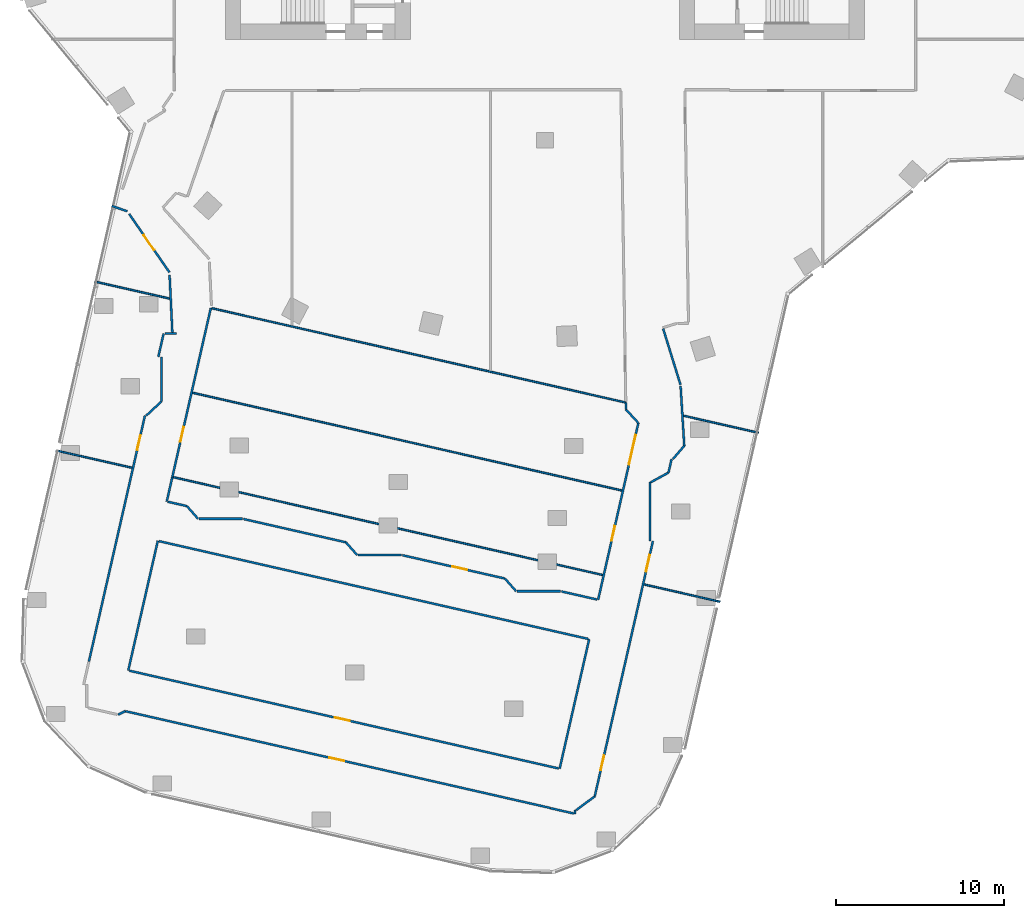
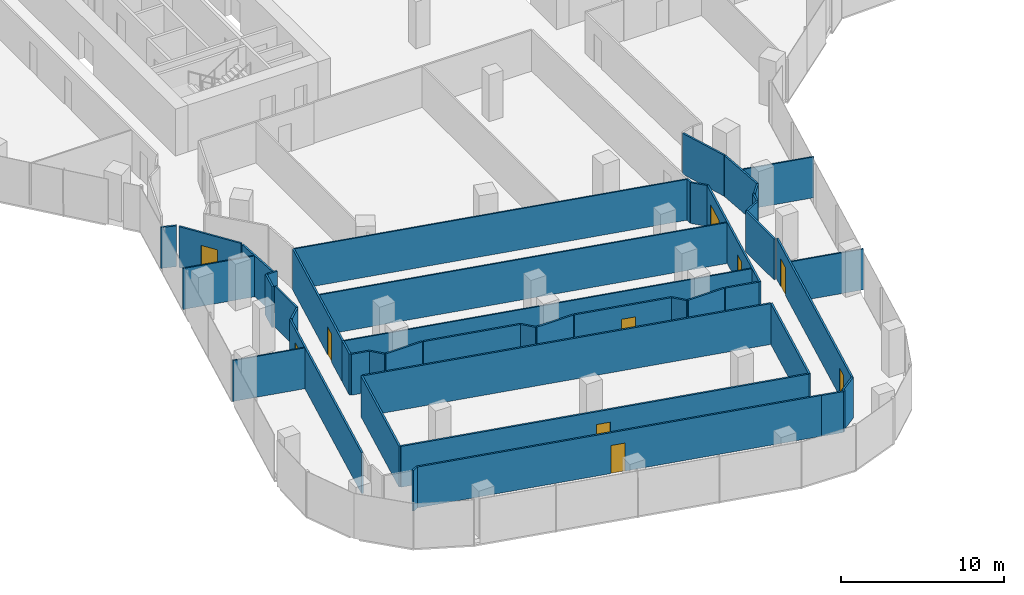
# One storey, part 18 of 24: 46 walls, 10 doors, 10 openings.
"""IFC4 building model written with IfcOpenShell, lengths in metres."""

from ifc_helpers import new_model, si_unit, direction, frame, frame_2d, origin, place, context, subcontext, project, spatial, rectangle, extrude, material, layer, layer_set, type_object, element, fill, save


model = new_model("IFC4")

# Units and contexts
model_context = context("Model", 3, precision=1e-05, world=origin(), true_north=direction((0.0, 1.0)))
body_context = subcontext(model_context, "Body", "Model", "MODEL_VIEW")
ifc_project = project(units=[si_unit("LENGTHUNIT", "METRE"), si_unit("AREAUNIT", "SQUARE_METRE"), si_unit("VOLUMEUNIT", "CUBIC_METRE"), si_unit("PLANEANGLEUNIT", "RADIAN"), si_unit("MASSUNIT", "GRAM", prefix="KILO")], contexts=[model_context])

# Site, building, storey
site_placement = place(None, origin())
site = spatial("IfcSite", under=ifc_project, at=site_placement, CompositionType="ELEMENT")
building_placement = place(site_placement, origin())
building = spatial("IfcBuilding", under=site, at=building_placement, Name="Orlundy Tower", CompositionType="ELEMENT")
storey_placement = place(building_placement, frame((0.0, 0.0, 170.60009765625)))
storey = spatial("IfcBuildingStorey", under=building, at=storey_placement, Name="L44", CompositionType="ELEMENT", Elevation=170.60009765625)

# Walls
ifc_material_1 = material(Name="Gypsum board partition")
ifc_layer_1 = layer(ifc_material_1, 0.10009765625)
ifc_layer_set_1 = layer_set([ifc_layer_1], Name="Floor partition 100")
wall_type_1 = type_object("IfcWallType", Name="Floor partition 100", PredefinedType="PARTITIONING", material=ifc_layer_set_1)
wall_1_placement = place(storey_placement, frame((-29.072998046875, -36.452880859375, 0.0), z_axis=(0.0, 0.0, 1.0), x_axis=(0.975041099452, -0.222024445455, 0.0)))
element("IfcWall", 1, at=wall_1_placement, inside=storey, type_object=wall_type_1, Name="wall-int-L44-023", PredefinedType="PARTITIONING", context=body_context, shape_type="SweptSolid", body=[
    extrude(rectangle(XDim=4.63037109375, YDim=0.10009765625, at=frame_2d((2.315185546875, 0.0))), origin(), (0.0, 0.0, 1.0), 3.059814453125),
])
wall_2_placement = place(storey_placement, frame((-22.094970703125, -38.04296875, 0.0), z_axis=(0.0, 0.0, 1.0), x_axis=(0.975023843859, -0.222100211404, 0.0)))
element("IfcWall", 2, at=wall_2_placement, inside=storey, type_object=wall_type_1, Name="wall-int-L44-024", PredefinedType="PARTITIONING", context=body_context, shape_type="SweptSolid", body=[
    extrude(rectangle(XDim=26.18603515625, YDim=0.10009765625, at=frame_2d((13.093017578125, 0.0))), origin(), (0.0, 0.0, 1.0), 3.059814453125),
])
wall_3_placement = place(storey_placement, frame((5.89990234375, -44.419921875, 0.0), z_axis=(0.0, 0.0, 1.0), x_axis=(0.975008438008, -0.222167832534, 0.0)))
element("IfcWall", 3, at=wall_3_placement, inside=storey, type_object=wall_type_1, Name="wall-int-L44-025", PredefinedType="PARTITIONING", context=body_context, shape_type="SweptSolid", body=[
    extrude(rectangle(XDim=4.6318359375, YDim=0.10009765625, at=frame_2d((2.31591796875, 0.0))), origin(), (0.0, 0.0, 1.0), 3.059814453125),
])
wall_4_placement = place(storey_placement, frame((-20.950927734375, -33.01904296875, 0.0), z_axis=(0.0, 0.0, 1.0), x_axis=(0.975025683381, -0.222092135715, 0.0)))
element("IfcWall", 4, at=wall_4_placement, inside=storey, type_object=wall_type_1, Name="wall-int-L44-026", PredefinedType="PARTITIONING", context=body_context, shape_type="SweptSolid", body=[
    extrude(rectangle(XDim=26.18701171875, YDim=0.10009765625, at=frame_2d((13.093505859375, 0.0))), origin(), (0.0, 0.0, 1.0), 3.059814453125),
])
wall_5_placement = place(storey_placement, frame((-26.783935546875, -26.404052734375, 0.0), z_axis=(0.0, 0.0, 1.0), x_axis=(0.975064044209, -0.221923657346, 0.0)))
element("IfcWall", 5, at=wall_5_placement, inside=storey, type_object=wall_type_1, Name="wall-int-L44-027", PredefinedType="PARTITIONING", context=body_context, shape_type="SweptSolid", body=[
    extrude(rectangle(XDim=4.56884765625, YDim=0.10009765625, at=frame_2d((2.284423828125, 0.0))), origin(), (0.0, 0.0, 1.0), 3.059814453125),
])
wall_6_placement = place(storey_placement, frame((-19.805908203125, -27.993896484375, 0.0), z_axis=(0.0, 0.0, 1.0), x_axis=(0.975005878079, -0.222179066769, 0.0)))
element("IfcWall", 6, at=wall_6_placement, inside=storey, type_object=wall_type_1, Name="wall-int-L44-028", PredefinedType="PARTITIONING", context=body_context, shape_type="SweptSolid", body=[
    extrude(rectangle(XDim=25.24609375, YDim=0.10009765625, at=frame_2d((12.623046875, 0.0))), origin(), (0.0, 0.0, 1.0), 3.059814453125),
])
wall_7_placement = place(storey_placement, frame((8.256103515625, -34.386962890625, 0.0), z_axis=(0.0, 0.0, 1.0), x_axis=(0.975047109618, -0.221998049597, 0.0)))
element("IfcWall", 7, at=wall_7_placement, inside=storey, type_object=wall_type_1, Name="wall-int-L44-029", PredefinedType="PARTITIONING", context=body_context, shape_type="SweptSolid", body=[
    extrude(rectangle(XDim=4.562744140625, YDim=0.10009765625, at=frame_2d((2.28125, 0.0))), origin(), (0.0, 0.0, 1.0), 3.059814453125),
])
ifc_material_2 = material(Name="Gypsum board partition, double layer")
ifc_layer_2 = layer(ifc_material_2, 0.125)
ifc_layer_set_2 = layer_set([ifc_layer_2], Name="Floor partition 125")
wall_type_2 = type_object("IfcWallType", Name="Floor partition 125", PredefinedType="PARTITIONING", material=ifc_layer_set_2)
wall_8_placement = place(storey_placement, frame((4.81298828125, -33.60205078125, 0.0), z_axis=(0.0, 0.0, 1.0), x_axis=(0.014888165056, -0.999889165128, 0.0)))
element("IfcWall", 8, at=wall_8_placement, inside=storey, type_object=wall_type_2, Name="wall-int-L44-002", PredefinedType="PARTITIONING", context=body_context, shape_type="SweptSolid", body=[
    extrude(rectangle(XDim=0.409912109375, YDim=0.125, at=frame_2d((0.205078125, 0.0))), origin(), (0.0, 0.0, 1.0), 3.059814453125),
])
wall_9_placement = place(storey_placement, frame((-22.322021484375, -26.007080078125, 0.0), z_axis=(0.0, 0.0, 1.0), x_axis=(0.048573949442, -0.998819589033, 0.0)))
element("IfcWall", 9, at=wall_9_placement, inside=storey, type_object=wall_type_2, Name="wall-int-L44-005", PredefinedType="PARTITIONING", context=body_context, shape_type="SweptSolid", body=[
    extrude(rectangle(XDim=3.43798828125, YDim=0.125, at=frame_2d((1.718994140625, 0.0))), origin(), (0.0, 0.0, 1.0), 3.059814453125),
])
wall_10_placement = place(storey_placement, frame((8.069091796875, -32.60888671875, 0.0), z_axis=(0.0, 0.0, 1.0), x_axis=(0.061565744527, -0.998103030303, 0.0)))
element("IfcWall", 10, at=wall_10_placement, inside=storey, type_object=wall_type_2, Name="wall-int-L44-007", PredefinedType="PARTITIONING", context=body_context, shape_type="SweptSolid", body=[
    extrude(rectangle(XDim=3.572998046875, YDim=0.125, at=frame_2d((1.78662109375, 0.0))), origin(), (0.0, 0.0, 1.0), 3.059814453125),
])
wall_11_placement = place(storey_placement, frame((7.033935546875, -29.2109375, 0.0), z_axis=(0.0, 0.0, 1.0), x_axis=(0.295358504145, -0.955386494582, 0.0)))
element("IfcWall", 11, at=wall_11_placement, inside=storey, type_object=wall_type_2, Name="wall-int-L44-008", PredefinedType="PARTITIONING", context=body_context, shape_type="SweptSolid", body=[
    extrude(rectangle(XDim=3.49072265625, YDim=0.125, at=frame_2d((1.745361328125, 0.0))), origin(), (0.0, 0.0, 1.0), 3.059814453125),
])

# Wall, opening, door
wall_12_placement = place(storey_placement, frame((-22.3291015625, -25.85693359375, 0.0), z_axis=(0.0, 0.0, 1.0), x_axis=(-0.567768105219, 0.823188543832, 0.0)))
wall_12 = element("IfcWall", 12, at=wall_12_placement, inside=storey, type_object=wall_type_2, Name="wall-int-L44-010", PredefinedType="PARTITIONING", context=body_context, shape_type="SweptSolid", body=[
    extrude(rectangle(XDim=4.219970703125, YDim=0.125, at=frame_2d((2.10986328125, 0.0))), origin(), (0.0, 0.0, 1.0), 3.059814453125),
])
opening_1_placement = place(wall_12_placement, frame((1.60009765625, 0.0, 0.0)))
opening_1 = element("IfcOpeningElement", 13, at=opening_1_placement, cuts=wall_12, Name="Opening 35112", PredefinedType="OPENING", context=body_context, shape_type="SweptSolid", body=[
    extrude(rectangle(XDim=1.10009765625, YDim=2.10009765625, at=frame_2d((0.550048828125, 1.050048828125))), frame((0.0, 0.072509765625, 0.0), z_axis=(0.0, -1.0, 0.0), x_axis=(1.0, 0.0, 0.0)), (0.0, 0.0, 1.0), 0.14501953125),
])
ifc_material_3 = material(Name="Timber door leaf", Category="wood")
door_type_1 = type_object("IfcDoorType", Name="Floor door xwide 1100 FD30S", OperationType="NOTDEFINED", PredefinedType="DOOR", material=ifc_material_3)
door_1_placement = place(opening_1_placement, origin())
door_1 = element("IfcDoor", 14, at=door_1_placement, inside=storey, type_object=door_type_1, Name="Door 35112", OperationType="SINGLE_SWING_RIGHT", OverallHeight=2.10009765625, OverallWidth=1.10009765625, PredefinedType="DOOR", context=body_context, shape_type="SweptSolid", body=[
    extrude(rectangle(XDim=1.10009765625, YDim=2.10009765625, at=frame_2d((0.550048828125, 1.050048828125))), frame((0.0, 0.02490234375, 0.0), z_axis=(0.0, -1.0, 0.0), x_axis=(1.0, 0.0, 0.0)), (0.0, 0.0, 1.0), 0.050048828125),
])
fill(opening_1, door_1)

# Walls
wall_13_placement = place(storey_placement, frame((-25.760009765625, -21.909912109375, 0.0), z_axis=(0.0, 0.0, 1.0), x_axis=(0.946161976611, -0.323693549544, 0.0)))
element("IfcWall", 15, at=wall_13_placement, inside=storey, type_object=wall_type_2, Name="wall-int-L44-013", PredefinedType="PARTITIONING", context=body_context, shape_type="SweptSolid", body=[
    extrude(rectangle(XDim=0.979736328125, YDim=0.125, at=frame_2d((0.48974609375, 0.0))), origin(), (0.0, 0.0, 1.0), 3.059814453125),
])
wall_14_placement = place(storey_placement, frame((0.342041015625, -57.72900390625, 0.0), z_axis=(0.0, 0.0, 1.0), x_axis=(0.975078596589, -0.22185970899, 0.0)))
element("IfcWall", 16, at=wall_14_placement, inside=storey, type_object=wall_type_2, Name="wall-int-L44-015", PredefinedType="PARTITIONING", context=body_context, shape_type="SweptSolid", body=[
    extrude(rectangle(XDim=1.4150390625, YDim=0.125, at=frame_2d((0.70751953125, 0.0))), origin(), (0.0, 0.0, 1.0), 3.059814453125),
])

# Wall, opening, door
wall_15_placement = place(storey_placement, frame((0.343994140625, -57.718994140625, 0.0), z_axis=(0.0, 0.0, 1.0), x_axis=(-0.97501877272, 0.222122472621, 0.0)))
wall_15 = element("IfcWall", 17, at=wall_15_placement, inside=storey, type_object=wall_type_2, Name="wall-int-L44-016", PredefinedType="PARTITIONING", context=body_context, shape_type="SweptSolid", body=[
    extrude(rectangle(XDim=25.94921875, YDim=0.125, at=frame_2d((12.974609375, 0.0))), origin(), (0.0, 0.0, 1.0), 3.059814453125),
])
opening_2_placement = place(wall_15_placement, frame((12.60009765625, 0.0, 0.0)))
opening_2 = element("IfcOpeningElement", 18, at=opening_2_placement, cuts=wall_15, Name="Opening 35106", PredefinedType="OPENING", context=body_context, shape_type="SweptSolid", body=[
    extrude(rectangle(XDim=0.89990234375, YDim=2.10009765625, at=frame_2d((0.449951171875, 1.050048828125))), frame((0.0, 0.072509765625, 0.0), z_axis=(0.0, -1.0, 0.0), x_axis=(1.0, 0.0, 0.0)), (0.0, 0.0, 1.0), 0.14501953125),
])
ifc_material_4 = material(Name="Timber door leaf", Category="wood")
door_type_2 = type_object("IfcDoorType", Name="Floor door single 900 FD30S", OperationType="NOTDEFINED", PredefinedType="DOOR", material=ifc_material_4)
door_2_placement = place(opening_2_placement, origin())
door_2 = element("IfcDoor", 19, at=door_2_placement, inside=storey, type_object=door_type_2, Name="Door 35106", OperationType="SINGLE_SWING_RIGHT", OverallHeight=2.10009765625, OverallWidth=0.89990234375, PredefinedType="DOOR", context=body_context, shape_type="SweptSolid", body=[
    extrude(rectangle(XDim=0.89990234375, YDim=2.10009765625, at=frame_2d((0.449951171875, 1.050048828125))), frame((0.0, 0.02490234375, 0.0), z_axis=(0.0, -1.0, 0.0), x_axis=(1.0, 0.0, 0.0)), (0.0, 0.0, 1.0), 0.050048828125),
])
fill(opening_2, door_2)

wall_16_placement = place(storey_placement, frame((-24.716064453125, -49.548095703125, 0.0), z_axis=(0.0, 0.0, 1.0), x_axis=(0.975023843859, -0.222100211404, 0.0)))
wall_16 = element("IfcWall", 20, at=wall_16_placement, inside=storey, type_object=wall_type_2, Name="wall-int-L44-017", PredefinedType="PARTITIONING", context=body_context, shape_type="SweptSolid", body=[
    extrude(rectangle(XDim=26.18603515625, YDim=0.125, at=frame_2d((13.093017578125, 0.0))), origin(), (0.0, 0.0, 1.0), 3.059814453125),
])
opening_3_placement = place(wall_16_placement, frame((12.53759765625, 0.0, 0.0)))
opening_3 = element("IfcOpeningElement", 21, at=opening_3_placement, cuts=wall_16, Name="Opening 35105", PredefinedType="OPENING", context=body_context, shape_type="SweptSolid", body=[
    extrude(rectangle(XDim=0.89990234375, YDim=2.10009765625, at=frame_2d((0.449951171875, 1.050048828125))), frame((0.0, 0.072509765625, 0.0), z_axis=(0.0, -1.0, 0.0), x_axis=(1.0, 0.0, 0.0)), (0.0, 0.0, 1.0), 0.14501953125),
])
door_3_placement = place(opening_3_placement, origin())
door_3 = element("IfcDoor", 22, at=door_3_placement, inside=storey, type_object=door_type_2, Name="Door 35105", OperationType="SINGLE_SWING_LEFT", OverallHeight=2.10009765625, OverallWidth=0.89990234375, PredefinedType="DOOR", context=body_context, shape_type="SweptSolid", body=[
    extrude(rectangle(XDim=0.89990234375, YDim=2.10009765625, at=frame_2d((0.449951171875, 1.050048828125))), frame((0.0, 0.02490234375, 0.0), z_axis=(0.0, -1.0, 0.0), x_axis=(1.0, 0.0, 0.0)), (0.0, 0.0, 1.0), 0.050048828125),
])
fill(opening_3, door_3)

# Walls
wall_17_placement = place(storey_placement, frame((-22.9609375, -41.843017578125, 0.0), z_axis=(0.0, 0.0, 1.0), x_axis=(0.975025683381, -0.222092135715, 0.0)))
element("IfcWall", 23, at=wall_17_placement, inside=storey, type_object=wall_type_2, Name="wall-int-L44-018", PredefinedType="PARTITIONING", context=body_context, shape_type="SweptSolid", body=[
    extrude(rectangle(XDim=26.18701171875, YDim=0.125, at=frame_2d((13.093505859375, 0.0))), origin(), (0.0, 0.0, 1.0), 3.059814453125),
])
wall_18_placement = place(storey_placement, frame((-22.427001953125, -39.501953125, 0.0), z_axis=(0.0, 0.0, 1.0), x_axis=(0.97511430892, -0.221702694026, 0.0)))
element("IfcWall", 24, at=wall_18_placement, inside=storey, type_object=wall_type_2, Name="wall-int-L44-019", PredefinedType="PARTITIONING", context=body_context, shape_type="SweptSolid", body=[
    extrude(rectangle(XDim=1.1640625, YDim=0.125, at=frame_2d((0.58203125, 0.0))), origin(), (0.0, 0.0, 1.0), 3.059814453125),
])
wall_19_placement = place(storey_placement, frame((-17.924072265625, -40.528076171875, 0.0), z_axis=(0.0, 0.0, 1.0), x_axis=(0.975041788435, -0.2220214197, 0.0)))
element("IfcWall", 25, at=wall_19_placement, inside=storey, type_object=wall_type_2, Name="wall-int-L44-020", PredefinedType="PARTITIONING", context=body_context, shape_type="SweptSolid", body=[
    extrude(rectangle(XDim=6.2470703125, YDim=0.125, at=frame_2d((3.12353515625, 0.0))), origin(), (0.0, 0.0, 1.0), 3.059814453125),
])

# Wall, opening, door
wall_20_placement = place(storey_placement, frame((-8.468994140625, -42.681884765625, 0.0), z_axis=(0.0, 0.0, 1.0), x_axis=(0.975048737106, -0.22199090132, 0.0)))
wall_20 = element("IfcWall", 26, at=wall_20_placement, inside=storey, type_object=wall_type_2, Name="wall-int-L44-021", PredefinedType="PARTITIONING", context=body_context, shape_type="SweptSolid", body=[
    extrude(rectangle(XDim=6.2490234375, YDim=0.125, at=frame_2d((3.12451171875, 0.0))), origin(), (0.0, 0.0, 1.0), 3.059814453125),
])
opening_4_placement = place(wall_20_placement, frame((3.03759765625, 0.0, 0.0)))
opening_4 = element("IfcOpeningElement", 27, at=opening_4_placement, cuts=wall_20, Name="Opening 35104", PredefinedType="OPENING", context=body_context, shape_type="SweptSolid", body=[
    extrude(rectangle(XDim=0.89990234375, YDim=2.10009765625, at=frame_2d((0.449951171875, 1.050048828125))), frame((0.0, 0.072509765625, 0.0), z_axis=(0.0, -1.0, 0.0), x_axis=(1.0, 0.0, 0.0)), (0.0, 0.0, 1.0), 0.14501953125),
])
door_4_placement = place(opening_4_placement, origin())
door_4 = element("IfcDoor", 28, at=door_4_placement, inside=storey, type_object=door_type_2, Name="Door 35104", OperationType="SINGLE_SWING_RIGHT", OverallHeight=2.10009765625, OverallWidth=0.89990234375, PredefinedType="DOOR", context=body_context, shape_type="SweptSolid", body=[
    extrude(rectangle(XDim=0.89990234375, YDim=2.10009765625, at=frame_2d((0.449951171875, 1.050048828125))), frame((0.0, 0.02490234375, 0.0), z_axis=(0.0, -1.0, 0.0), x_axis=(1.0, 0.0, 0.0)), (0.0, 0.0, 1.0), 0.050048828125),
])
fill(opening_4, door_4)

# Walls
wall_21_placement = place(storey_placement, frame((0.990966796875, -44.8369140625, 0.0), z_axis=(0.0, 0.0, 1.0), x_axis=(0.97505868901, -0.22194718513, 0.0)))
element("IfcWall", 29, at=wall_21_placement, inside=storey, type_object=wall_type_2, Name="wall-int-L44-022", PredefinedType="PARTITIONING", context=body_context, shape_type="SweptSolid", body=[
    extrude(rectangle(XDim=2.16796875, YDim=0.125, at=frame_2d((1.083984375, 0.0))), origin(), (0.0, 0.0, 1.0), 3.059814453125),
])
wall_22_placement = place(storey_placement, frame((1.861083984375, -57.842041015625, 0.0), z_axis=(0.0, 0.0, 1.0), x_axis=(0.803188576955, 0.595724860862, 0.0)))
element("IfcWall", 30, at=wall_22_placement, inside=storey, type_object=wall_type_2, Name="wall-int-L44-030", PredefinedType="PARTITIONING", context=body_context, shape_type="SweptSolid", body=[
    extrude(rectangle(XDim=1.373291015625, YDim=0.125, at=frame_2d((0.6865234375, 0.0))), origin(), (0.0, 0.0, 1.0), 3.059814453125),
])
wall_23_placement = place(storey_placement, frame((-1.65087890625, -44.822021484375, 0.0), z_axis=(0.0, 0.0, 1.0), x_axis=(1.0, 0.0, 0.0)))
element("IfcWall", 31, at=wall_23_placement, inside=storey, type_object=wall_type_2, Name="wall-int-L44-031", PredefinedType="PARTITIONING", context=body_context, shape_type="SweptSolid", body=[
    extrude(rectangle(XDim=2.580810546875, YDim=0.125, at=frame_2d((1.29052734375, 0.0))), origin(), (0.0, 0.0, 1.0), 3.059814453125),
])
wall_24_placement = place(storey_placement, frame((-11.10693359375, -42.6669921875, 0.0), z_axis=(0.0, 0.0, 1.0), x_axis=(1.0, 0.0, 0.0)))
element("IfcWall", 32, at=wall_24_placement, inside=storey, type_object=wall_type_2, Name="wall-int-L44-032", PredefinedType="PARTITIONING", context=body_context, shape_type="SweptSolid", body=[
    extrude(rectangle(XDim=2.576904296875, YDim=0.125, at=frame_2d((1.28857421875, 0.0))), origin(), (0.0, 0.0, 1.0), 3.059814453125),
])
wall_25_placement = place(storey_placement, frame((-20.56689453125, -40.512939453125, 0.0), z_axis=(0.0, 0.0, 1.0), x_axis=(1.0, 0.0, 0.0)))
element("IfcWall", 33, at=wall_25_placement, inside=storey, type_object=wall_type_2, Name="wall-int-L44-033", PredefinedType="PARTITIONING", context=body_context, shape_type="SweptSolid", body=[
    extrude(rectangle(XDim=2.581787109375, YDim=0.125, at=frame_2d((1.291015625, 0.0))), origin(), (0.0, 0.0, 1.0), 3.059814453125),
])
wall_26_placement = place(storey_placement, frame((6.302978515625, -38.342041015625, 0.0), z_axis=(0.0, 0.0, 1.0), x_axis=(0.877434318746, 0.479696796202, 0.0)))
element("IfcWall", 34, at=wall_26_placement, inside=storey, type_object=wall_type_2, Name="wall-int-L44-034", PredefinedType="PARTITIONING", context=body_context, shape_type="SweptSolid", body=[
    extrude(rectangle(XDim=1.194580078125, YDim=0.125, at=frame_2d((0.59716796875, 0.0))), origin(), (0.0, 0.0, 1.0), 3.059814453125),
])
wall_27_placement = place(storey_placement, frame((-23.708984375, -34.381103515625, 0.0), z_axis=(0.0, 0.0, 1.0), x_axis=(0.732207421562, 0.681081707147, 0.0)))
element("IfcWall", 35, at=wall_27_placement, inside=storey, type_object=wall_type_2, Name="wall-int-L44-035", PredefinedType="PARTITIONING", context=body_context, shape_type="SweptSolid", body=[
    extrude(rectangle(XDim=1.23193359375, YDim=0.125, at=frame_2d((0.615966796875, 0.0))), origin(), (0.0, 0.0, 1.0), 3.059814453125),
])
wall_28_placement = place(storey_placement, frame((-22.59912109375, -29.507080078125, 0.0), z_axis=(0.0, 0.0, 1.0), x_axis=(1.0, 0.0, 0.0)))
element("IfcWall", 36, at=wall_28_placement, inside=storey, type_object=wall_type_2, Name="wall-int-L44-036", PredefinedType="PARTITIONING", context=body_context, shape_type="SweptSolid", body=[
    extrude(rectangle(XDim=0.676025390625, YDim=0.125, at=frame_2d((0.337890625, 0.0))), origin(), (0.0, 0.0, 1.0), 3.059814453125),
])
wall_29_placement = place(storey_placement, frame((7.613037109375, -36.966064453125, 0.0), z_axis=(0.0, 0.0, 1.0), x_axis=(0.649689309886, 0.760199842554, 0.0)))
element("IfcWall", 37, at=wall_29_placement, inside=storey, type_object=wall_type_2, Name="wall-int-L44-049", PredefinedType="PARTITIONING", context=body_context, shape_type="SweptSolid", body=[
    extrude(rectangle(XDim=1.04052734375, YDim=0.125, at=frame_2d((0.520263671875, 0.0))), origin(), (0.0, 0.0, 1.0), 3.059814453125),
])
wall_30_placement = place(storey_placement, frame((4.820068359375, -34.012939453125, 0.0), z_axis=(0.0, 0.0, 1.0), x_axis=(0.676189811414, -0.736727452278, 0.0)))
element("IfcWall", 38, at=wall_30_placement, inside=storey, type_object=wall_type_2, Name="wall-int-L44-051", PredefinedType="PARTITIONING", context=body_context, shape_type="SweptSolid", body=[
    extrude(rectangle(XDim=1.093017578125, YDim=0.125, at=frame_2d((0.54638671875, 0.0))), origin(), (0.0, 0.0, 1.0), 3.059814453125),
])
wall_31_placement = place(storey_placement, frame((-25.376953125, -52.1669921875, 0.0), z_axis=(0.0, 0.0, 1.0), x_axis=(0.892760073249, 0.450532409058, 0.0)))
element("IfcWall", 39, at=wall_31_placement, inside=storey, type_object=wall_type_2, Name="wall-int-L44-059", PredefinedType="PARTITIONING", context=body_context, shape_type="SweptSolid", body=[
    extrude(rectangle(XDim=0.470458984375, YDim=0.125, at=frame_2d((0.2353515625, 0.0))), origin(), (0.0, 0.0, 1.0), 3.059814453125),
])

# Wall, openings, doors
wall_32_placement = place(storey_placement, frame((6.424072265625, -41.843994140625, 0.0), z_axis=(0.0, 0.0, 1.0), x_axis=(-0.222230368286, -0.974994186348, 0.0)))
wall_32 = element("IfcWall", 40, at=wall_32_placement, inside=storey, type_object=wall_type_2, Name="wall-int-L44-060", PredefinedType="PARTITIONING", context=body_context, shape_type="SweptSolid", body=[
    extrude(rectangle(XDim=15.5693359375, YDim=0.125, at=frame_2d((7.78466796875, 0.0))), origin(), (0.0, 0.0, 1.0), 3.059814453125),
])
opening_5_placement = place(wall_32_placement, frame((0.847900390625, 0.0, 0.0)))
opening_5 = element("IfcOpeningElement", 41, at=opening_5_placement, cuts=wall_32, Name="Opening 35100", PredefinedType="OPENING", context=body_context, shape_type="SweptSolid", body=[
    extrude(rectangle(XDim=1.0, YDim=2.10009765625, at=frame_2d((0.5, 1.050048828125))), frame((0.0, 0.072509765625, 0.0), z_axis=(0.0, -1.0, 0.0), x_axis=(1.0, 0.0, 0.0)), (0.0, 0.0, 1.0), 0.14501953125),
])
opening_6_placement = place(wall_32_placement, frame((13.07666015625, 0.0, 0.0)))
opening_6 = element("IfcOpeningElement", 42, at=opening_6_placement, cuts=wall_32, Name="Opening 35107", PredefinedType="OPENING", context=body_context, shape_type="SweptSolid", body=[
    extrude(rectangle(XDim=0.89990234375, YDim=2.10009765625, at=frame_2d((0.449951171875, 1.050048828125))), frame((0.0, 0.072509765625, 0.0), z_axis=(0.0, -1.0, 0.0), x_axis=(1.0, 0.0, 0.0)), (0.0, 0.0, 1.0), 0.14501953125),
])
door_5_placement = place(opening_6_placement, origin())
door_5 = element("IfcDoor", 43, at=door_5_placement, inside=storey, type_object=door_type_2, Name="Door 35107", OperationType="SINGLE_SWING_RIGHT", OverallHeight=2.10009765625, OverallWidth=0.89990234375, PredefinedType="DOOR", context=body_context, shape_type="SweptSolid", body=[
    extrude(rectangle(XDim=0.89990234375, YDim=2.10009765625, at=frame_2d((0.449951171875, 1.050048828125))), frame((0.0, 0.02490234375, 0.0), z_axis=(0.0, -1.0, 0.0), x_axis=(1.0, 0.0, 0.0)), (0.0, 0.0, 1.0), 0.050048828125),
])
fill(opening_6, door_5)
ifc_material_5 = material(Name="Timber door leaf", Category="wood")
door_type_3 = type_object("IfcDoorType", Name="Floor door wide 1000 FD30S", OperationType="NOTDEFINED", PredefinedType="DOOR", material=ifc_material_5)
door_6_placement = place(opening_5_placement, origin())
door_6 = element("IfcDoor", 44, at=door_6_placement, inside=storey, type_object=door_type_3, Name="Door 35100", OperationType="SINGLE_SWING_LEFT", OverallHeight=2.10009765625, OverallWidth=1.0, PredefinedType="DOOR", context=body_context, shape_type="SweptSolid", body=[
    extrude(rectangle(XDim=1.0, YDim=2.10009765625, at=frame_2d((0.5, 1.050048828125))), frame((0.0, 0.02490234375, 0.0), z_axis=(0.0, -1.0, 0.0), x_axis=(1.0, 0.0, 0.0)), (0.0, 0.0, 1.0), 0.050048828125),
])
fill(opening_5, door_6)

# Walls
wall_33_placement = place(storey_placement, frame((7.35107421875, -37.76904296875, 0.0), z_axis=(0.0, 0.0, 1.0), x_axis=(0.222043922605, 0.975036664149, 0.0)))
element("IfcWall", 45, at=wall_33_placement, inside=storey, type_object=wall_type_2, Name="wall-int-L44-061", PredefinedType="PARTITIONING", context=body_context, shape_type="SweptSolid", body=[
    extrude(rectangle(XDim=0.823486328125, YDim=0.125, at=frame_2d((0.41162109375, 0.0))), origin(), (0.0, 0.0, 1.0), 3.059814453125),
])
wall_34_placement = place(storey_placement, frame((0.876953125, -55.3779296875, 0.0), z_axis=(0.0, 0.0, 1.0), x_axis=(0.222196517333, 0.975001901375, 0.0)))
element("IfcWall", 46, at=wall_34_placement, inside=storey, type_object=wall_type_2, Name="wall-int-L44-062", PredefinedType="PARTITIONING", context=body_context, shape_type="SweptSolid", body=[
    extrude(rectangle(XDim=7.9033203125, YDim=0.125, at=frame_2d((3.95166015625, 0.0))), origin(), (0.0, 0.0, 1.0), 3.059814453125),
])

# Wall, openings, doors
wall_35_placement = place(storey_placement, frame((3.166015625, -45.33203125, 0.0), z_axis=(0.0, 0.0, 1.0), x_axis=(0.221933270953, 0.975061856112, 0.0)))
wall_35 = element("IfcWall", 47, at=wall_35_placement, inside=storey, type_object=wall_type_2, Name="wall-int-L44-063", PredefinedType="PARTITIONING", context=body_context, shape_type="SweptSolid", body=[
    extrude(rectangle(XDim=10.78271484375, YDim=0.125, at=frame_2d((5.391357421875, 0.0))), origin(), (0.0, 0.0, 1.0), 3.059814453125),
])
opening_7_placement = place(wall_35_placement, frame((8.2490234375, 0.0, 0.0)))
opening_7 = element("IfcOpeningElement", 48, at=opening_7_placement, cuts=wall_35, Name="Opening 35101", PredefinedType="OPENING", context=body_context, shape_type="SweptSolid", body=[
    extrude(rectangle(XDim=1.800048828125, YDim=2.10009765625, at=frame_2d((0.89990234375, 1.050048828125))), frame((0.0, 0.072509765625, 0.0), z_axis=(0.0, -1.0, 0.0), x_axis=(1.0, 0.0, 0.0)), (0.0, 0.0, 1.0), 0.14501953125),
])
opening_8_placement = place(wall_35_placement, frame((3.59619140625, 0.0, 0.0)))
opening_8 = element("IfcOpeningElement", 49, at=opening_8_placement, cuts=wall_35, Name="Opening 35103", PredefinedType="OPENING", context=body_context, shape_type="SweptSolid", body=[
    extrude(rectangle(XDim=0.89990234375, YDim=2.10009765625, at=frame_2d((0.449951171875, 1.050048828125))), frame((0.0, 0.072509765625, 0.0), z_axis=(0.0, -1.0, 0.0), x_axis=(1.0, 0.0, 0.0)), (0.0, 0.0, 1.0), 0.14501953125),
])
ifc_material_6 = material(Name="Timber door leaf", Category="wood")
door_type_4 = type_object("IfcDoorType", Name="Floor door double 1800 FD30S", OperationType="NOTDEFINED", PredefinedType="DOOR", material=ifc_material_6)
door_7_placement = place(opening_7_placement, origin())
door_7 = element("IfcDoor", 50, at=door_7_placement, inside=storey, type_object=door_type_4, Name="Door 35101", OperationType="DOUBLE_DOOR_SINGLE_SWING", OverallHeight=2.10009765625, OverallWidth=1.800048828125, PredefinedType="DOOR", context=body_context, shape_type="SweptSolid", body=[
    extrude(rectangle(XDim=1.800048828125, YDim=2.10009765625, at=frame_2d((0.89990234375, 1.050048828125))), frame((0.0, 0.02490234375, 0.0), z_axis=(0.0, -1.0, 0.0), x_axis=(1.0, 0.0, 0.0)), (0.0, 0.0, 1.0), 0.050048828125),
])
fill(opening_7, door_7)
door_8_placement = place(opening_8_placement, origin())
door_8 = element("IfcDoor", 51, at=door_8_placement, inside=storey, type_object=door_type_2, Name="Door 35103", OperationType="SINGLE_SWING_LEFT", OverallHeight=2.10009765625, OverallWidth=0.89990234375, PredefinedType="DOOR", context=body_context, shape_type="SweptSolid", body=[
    extrude(rectangle(XDim=0.89990234375, YDim=2.10009765625, at=frame_2d((0.449951171875, 1.050048828125))), frame((0.0, 0.02490234375, 0.0), z_axis=(0.0, -1.0, 0.0), x_axis=(1.0, 0.0, 0.0)), (0.0, 0.0, 1.0), 0.050048828125),
])
fill(opening_8, door_8)

# Wall
wall_36_placement = place(storey_placement, frame((-24.777099609375, -49.533935546875, 0.0), z_axis=(0.0, 0.0, 1.0), x_axis=(0.222163061165, 0.975009525212, 0.0)))
element("IfcWall", 52, at=wall_36_placement, inside=storey, type_object=wall_type_2, Name="wall-int-L44-064", PredefinedType="PARTITIONING", context=body_context, shape_type="SweptSolid", body=[
    extrude(rectangle(XDim=7.904541015625, YDim=0.125, at=frame_2d((3.9521484375, 0.0))), origin(), (0.0, 0.0, 1.0), 3.059814453125),
])

# Wall, opening, door
wall_37_placement = place(storey_placement, frame((-19.867919921875, -27.98193359375, 0.0), z_axis=(0.0, 0.0, 1.0), x_axis=(-0.222050161604, -0.975035243328, 0.0)))
wall_37 = element("IfcWall", 53, at=wall_37_placement, inside=storey, type_object=wall_type_2, Name="wall-int-L44-065", PredefinedType="PARTITIONING", context=body_context, shape_type="SweptSolid", body=[
    extrude(rectangle(XDim=10.304443359375, YDim=0.125, at=frame_2d((5.15234375, 0.0))), origin(), (0.0, 0.0, 1.0), 3.059814453125),
])
opening_9_placement = place(wall_37_placement, frame((7.251953125, 0.0, 0.0)))
opening_9 = element("IfcOpeningElement", 54, at=opening_9_placement, cuts=wall_37, Name="Opening 35102", PredefinedType="OPENING", context=body_context, shape_type="SweptSolid", body=[
    extrude(rectangle(XDim=0.89990234375, YDim=2.10009765625, at=frame_2d((0.449951171875, 1.050048828125))), frame((0.0, 0.072509765625, 0.0), z_axis=(0.0, -1.0, 0.0), x_axis=(1.0, 0.0, 0.0)), (0.0, 0.0, 1.0), 0.14501953125),
])
door_9_placement = place(opening_9_placement, origin())
door_9 = element("IfcDoor", 55, at=door_9_placement, inside=storey, type_object=door_type_2, Name="Door 35102", OperationType="SINGLE_SWING_RIGHT", OverallHeight=2.10009765625, OverallWidth=0.89990234375, PredefinedType="DOOR", context=body_context, shape_type="SweptSolid", body=[
    extrude(rectangle(XDim=0.89990234375, YDim=2.10009765625, at=frame_2d((0.449951171875, 1.050048828125))), frame((0.0, 0.02490234375, 0.0), z_axis=(0.0, -1.0, 0.0), x_axis=(1.0, 0.0, 0.0)), (0.0, 0.0, 1.0), 0.050048828125),
])
fill(opening_9, door_9)

# Wall
wall_38_placement = place(storey_placement, frame((-22.488037109375, -39.488037109375, 0.0), z_axis=(0.0, 0.0, 1.0), x_axis=(0.221903185503, 0.975068703356, 0.0)))
element("IfcWall", 56, at=wall_38_placement, inside=storey, type_object=wall_type_2, Name="wall-int-L44-066", PredefinedType="PARTITIONING", context=body_context, shape_type="SweptSolid", body=[
    extrude(rectangle(XDim=1.496337890625, YDim=0.125, at=frame_2d((0.748046875, 0.0))), origin(), (0.0, 0.0, 1.0), 3.059814453125),
])

# Wall, opening, door
wall_39_placement = place(storey_placement, frame((-27.117919921875, -49.0009765625, 0.0), z_axis=(0.0, 0.0, 1.0), x_axis=(0.222212898452, 0.974998168081, 0.0)))
wall_39 = element("IfcWall", 57, at=wall_39_placement, inside=storey, type_object=wall_type_2, Name="wall-int-L44-067", PredefinedType="PARTITIONING", context=body_context, shape_type="SweptSolid", body=[
    extrude(rectangle(XDim=14.994873046875, YDim=0.125, at=frame_2d((7.49755859375, 0.0))), origin(), (0.0, 0.0, 1.0), 3.059814453125),
])
opening_10_placement = place(wall_39_placement, frame((12.900634765625, 0.0, 0.0)))
opening_10 = element("IfcOpeningElement", 58, at=opening_10_placement, cuts=wall_39, Name="Opening 35108", PredefinedType="OPENING", context=body_context, shape_type="SweptSolid", body=[
    extrude(rectangle(XDim=0.89990234375, YDim=2.10009765625, at=frame_2d((0.449951171875, 1.050048828125))), frame((0.0, 0.072509765625, 0.0), z_axis=(0.0, -1.0, 0.0), x_axis=(1.0, 0.0, 0.0)), (0.0, 0.0, 1.0), 0.14501953125),
])
door_10_placement = place(opening_10_placement, origin())
door_10 = element("IfcDoor", 59, at=door_10_placement, inside=storey, type_object=door_type_2, Name="Door 35108", OperationType="SINGLE_SWING_RIGHT", OverallHeight=2.10009765625, OverallWidth=0.89990234375, PredefinedType="DOOR", context=body_context, shape_type="SweptSolid", body=[
    extrude(rectangle(XDim=0.89990234375, YDim=2.10009765625, at=frame_2d((0.449951171875, 1.050048828125))), frame((0.0, 0.02490234375, 0.0), z_axis=(0.0, -1.0, 0.0), x_axis=(1.0, 0.0, 0.0)), (0.0, 0.0, 1.0), 0.050048828125),
])
fill(opening_10, door_10)

# Walls
wall_40_placement = place(storey_placement, frame((-22.989990234375, -30.882080078125, 0.0), z_axis=(0.0, 0.0, 1.0), x_axis=(0.221950340639, 0.975057970733, 0.0)))
element("IfcWall", 60, at=wall_40_placement, inside=storey, type_object=wall_type_2, Name="wall-int-L44-068", PredefinedType="PARTITIONING", context=body_context, shape_type="SweptSolid", body=[
    extrude(rectangle(XDim=1.41015625, YDim=0.125, at=frame_2d((0.705078125, 0.0))), origin(), (0.0, 0.0, 1.0), 3.059814453125),
])
wall_41_placement = place(storey_placement, frame((6.240966796875, -41.841064453125, 0.0), z_axis=(0.0, 0.0, 1.0), x_axis=(0.0, 1.0, 0.0)))
element("IfcWall", 61, at=wall_41_placement, inside=storey, type_object=wall_type_2, Name="wall-int-L44-073", PredefinedType="PARTITIONING", context=body_context, shape_type="SweptSolid", body=[
    extrude(rectangle(XDim=3.4990234375, YDim=0.125, at=frame_2d((1.74951171875, 0.0))), origin(), (0.0, 0.0, 1.0), 3.059814453125),
])
wall_42_placement = place(storey_placement, frame((1.798095703125, -58.06005859375, 0.0), z_axis=(0.0, 0.0, 1.0), x_axis=(0.0, 1.0, 0.0)))
element("IfcWall", 62, at=wall_42_placement, inside=storey, type_object=wall_type_2, Name="wall-int-L44-075", PredefinedType="PARTITIONING", context=body_context, shape_type="SweptSolid", body=[
    extrude(rectangle(XDim=0.218017578125, YDim=0.125, at=frame_2d((0.10888671875, 0.0))), origin(), (0.0, 0.0, 1.0), 3.059814453125),
])
wall_43_placement = place(storey_placement, frame((-1.712890625, -44.822021484375, 0.0), z_axis=(0.0, 0.0, 1.0), x_axis=(-0.660913097692, 0.750462442298, 0.0)))
element("IfcWall", 63, at=wall_43_placement, inside=storey, type_object=wall_type_2, Name="wall-int-L44-077", PredefinedType="PARTITIONING", context=body_context, shape_type="SweptSolid", body=[
    extrude(rectangle(XDim=1.003173828125, YDim=0.125, at=frame_2d((0.50146484375, 0.0))), origin(), (0.0, 0.0, 1.0), 3.059814453125),
])
wall_44_placement = place(storey_placement, frame((-11.169921875, -42.6669921875, 0.0), z_axis=(0.0, 0.0, 1.0), x_axis=(-0.66139609203, 0.750036805395, 0.0)))
element("IfcWall", 64, at=wall_44_placement, inside=storey, type_object=wall_type_2, Name="wall-int-L44-079", PredefinedType="PARTITIONING", context=body_context, shape_type="SweptSolid", body=[
    extrude(rectangle(XDim=1.00244140625, YDim=0.125, at=frame_2d((0.501220703125, 0.0))), origin(), (0.0, 0.0, 1.0), 3.059814453125),
])
wall_45_placement = place(storey_placement, frame((-20.62890625, -40.512939453125, 0.0), z_axis=(0.0, 0.0, 1.0), x_axis=(-0.660913097692, 0.750462442298, 0.0)))
element("IfcWall", 65, at=wall_45_placement, inside=storey, type_object=wall_type_2, Name="wall-int-L44-082", PredefinedType="PARTITIONING", context=body_context, shape_type="SweptSolid", body=[
    extrude(rectangle(XDim=1.003173828125, YDim=0.125, at=frame_2d((0.50146484375, 0.0))), origin(), (0.0, 0.0, 1.0), 3.059814453125),
])
wall_46_placement = place(storey_placement, frame((-22.806884765625, -33.5419921875, 0.0), z_axis=(0.0, 0.0, 1.0), x_axis=(0.0, 1.0, 0.0)))
element("IfcWall", 66, at=wall_46_placement, inside=storey, type_object=wall_type_2, Name="wall-int-L44-084", PredefinedType="PARTITIONING", context=body_context, shape_type="SweptSolid", body=[
    extrude(rectangle(XDim=2.659912109375, YDim=0.125, at=frame_2d((1.330078125, 0.0))), origin(), (0.0, 0.0, 1.0), 3.059814453125),
])

save(model, "model.ifc")
